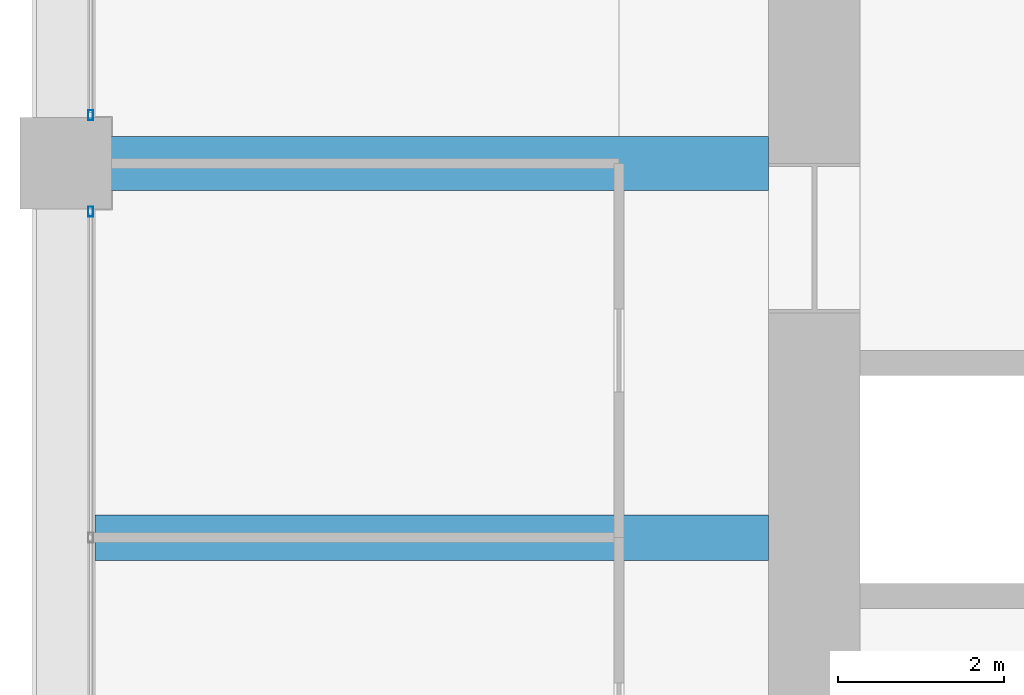
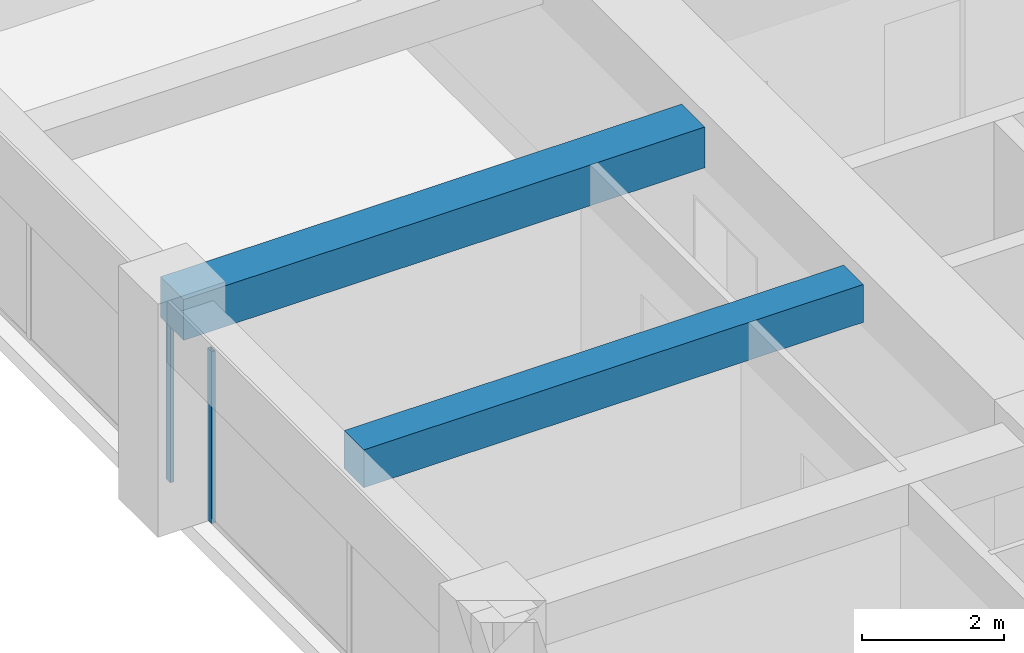
# One storey, part 15 of 44: 2 beams, 2 members, 2 elements without a shape of their own.
"""IFC4 building model written with IfcOpenShell, lengths in metres."""

from ifc_helpers import new_model, si_unit, direction, frame, origin, origin_2d, place, context, subcontext, project, spatial, rectangle, hollow_rectangle, extrude, material, material_profile, profile_set, type_object, element, aggregate, save


model = new_model("IFC4")

# Units and contexts
model_context = context("Model", 3, precision=1e-05, world=origin(), true_north=direction((0.0, 1.0)))
body_context = subcontext(model_context, "Body", "Model", "MODEL_VIEW")
ifc_project = project(units=[si_unit("LENGTHUNIT", "METRE"), si_unit("AREAUNIT", "SQUARE_METRE"), si_unit("VOLUMEUNIT", "CUBIC_METRE"), si_unit("PLANEANGLEUNIT", "RADIAN"), si_unit("MASSUNIT", "GRAM", prefix="KILO")], contexts=[model_context])

# Site, building, storey
site_placement = place(None, origin())
site = spatial("IfcSite", under=ifc_project, at=site_placement, CompositionType="ELEMENT")
building_placement = place(site_placement, origin())
building = spatial("IfcBuilding", under=site, at=building_placement, Name="Zorevar Civic Tower", CompositionType="ELEMENT")
storey_placement = place(building_placement, frame((0.0, 0.0, 263.39990234375)))
storey = spatial("IfcBuildingStorey", under=building, at=storey_placement, Name="L64", CompositionType="ELEMENT", Elevation=263.39990234375)

# Beams
ifc_material_1 = material(Name="Concrete C50/60", Category="concrete")
ifc_material_profile_1 = material_profile(ifc_material_1, rectangle(XDim=0.550048828125, YDim=0.64990234375, at=origin_2d()), Name="RC 550x650")
ifc_profile_set_1 = profile_set([ifc_material_profile_1], Name="Concrete C50/60")
beam_type_1 = type_object("IfcBeamType", Name="Beam RC 550x650", PredefinedType="BEAM", material=ifc_profile_set_1)
beam_1_placement = place(storey_placement, frame((9.35009765625, 22.5, 3.425048828125), z_axis=(1.0, 0.0, 0.0), x_axis=(0.0, 1.0, 0.0)))
element("IfcBeam", 1, at=beam_1_placement, inside=storey, type_object=beam_type_1, Name="Secondary beam L65", PredefinedType="BEAM", context=body_context, shape_type="SweptSolid", body=[
    extrude(rectangle(XDim=0.550048828125, YDim=0.64990234375, at=origin_2d()), origin(), (0.0, 0.0, 1.0), 8.099853515625),
])
ifc_material_2 = material(Name="Concrete C50/60", Category="concrete")
ifc_material_profile_2 = material_profile(ifc_material_2, rectangle(XDim=0.64990234375, YDim=0.699951171875, at=origin_2d()), Name="RC 650x700")
ifc_profile_set_2 = profile_set([ifc_material_profile_2], Name="Concrete C50/60")
beam_type_2 = type_object("IfcBeamType", Name="Beam RC 650x700", PredefinedType="BEAM", material=ifc_profile_set_2)
beam_2_placement = place(storey_placement, frame((9.0, 27.0, 3.400146484375), z_axis=(1.0, 0.0, 0.0), x_axis=(0.0, 1.0, 0.0)))
element("IfcBeam", 2, at=beam_2_placement, inside=storey, type_object=beam_type_2, Name="Girder L65", PredefinedType="BEAM", context=body_context, shape_type="SweptSolid", body=[
    extrude(rectangle(XDim=0.64990234375, YDim=0.699951171875, at=origin_2d()), origin(), (0.0, 0.0, 1.0), 8.449951171875),
])

# Curtain wall, member
ifc_material_3 = material(Name="Dark grey solar-control glass in black aluminium frame", Category="aluminium")
curtain_wall_type = type_object("IfcCurtainWallType", Name="Curtain wall CW5 top zone", PredefinedType="NOTDEFINED", material=ifc_material_3)
curtain_wall_1_placement = place(storey_placement, origin())
curtain_wall_1 = element("IfcCurtainWall", 3, at=curtain_wall_1_placement, inside=storey, type_object=curtain_wall_type, Name="CW5 L64", PredefinedType="NOTDEFINED")
ifc_material_4 = material(Name="Aluminium, black anodised", Category="aluminium")
ifc_material_profile_3 = material_profile(ifc_material_4, hollow_rectangle(XDim=0.06005859375, YDim=0.1201171875, WallThickness=0.0029296875, at=origin_2d()), Name="AL 120x60x3")
ifc_profile_set_3 = profile_set([ifc_material_profile_3], Name="Aluminium, black anodised")
member_type = type_object("IfcMemberType", Name="CW5 mullion AL 120x60x3", PredefinedType="MULLION", material=ifc_profile_set_3)
member_1_placement = place(storey_placement, frame((9.300048828125, 26.419921875, 0.0), z_axis=(0.0, 0.0, 1.0), x_axis=(-1.0, 0.0, 0.0)))
member_1 = element("IfcMember", 4, at=member_1_placement, type_object=member_type, Name="CW5 mullion 3", PredefinedType="MULLION", context=body_context, shape_type="SweptSolid", body=[
    extrude(hollow_rectangle(XDim=0.06005859375, YDim=0.1201171875, WallThickness=0.0029296875, at=origin_2d()), origin(), (0.0, 0.0, 1.0), 2.9501953125),
])
aggregate(curtain_wall_1, [member_1])

curtain_wall_2_placement = place(storey_placement, origin())
curtain_wall_2 = element("IfcCurtainWall", 5, at=curtain_wall_2_placement, inside=storey, type_object=curtain_wall_type, Name="CW5 L64", PredefinedType="NOTDEFINED")
member_2_placement = place(storey_placement, frame((9.300048828125, 27.580078125, 0.0), z_axis=(0.0, 0.0, 1.0), x_axis=(-1.0, 0.0, 0.0)))
member_2 = element("IfcMember", 6, at=member_2_placement, type_object=member_type, Name="CW5 mullion 1", PredefinedType="MULLION", context=body_context, shape_type="SweptSolid", body=[
    extrude(hollow_rectangle(XDim=0.06005859375, YDim=0.1201171875, WallThickness=0.0029296875, at=origin_2d()), origin(), (0.0, 0.0, 1.0), 2.9501953125),
])
aggregate(curtain_wall_2, [member_2])

save(model, "model.ifc")
